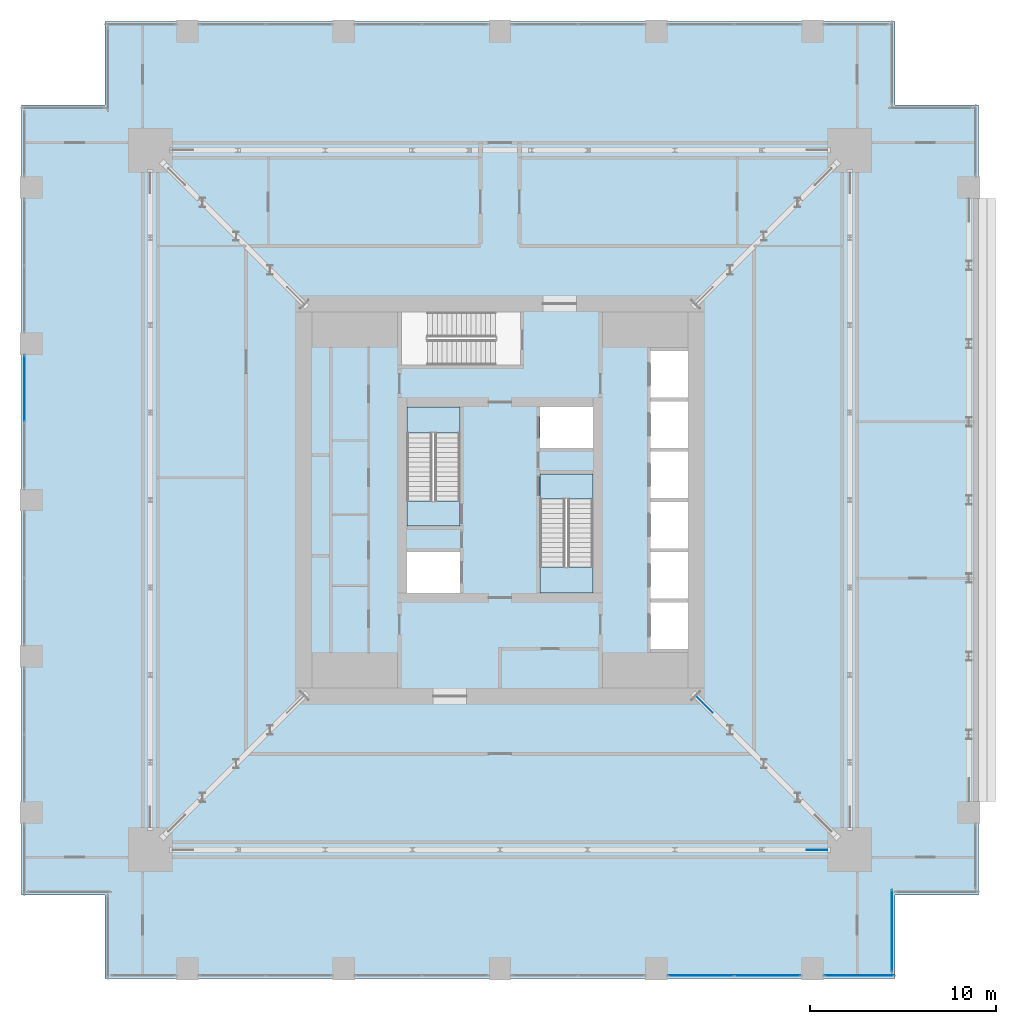
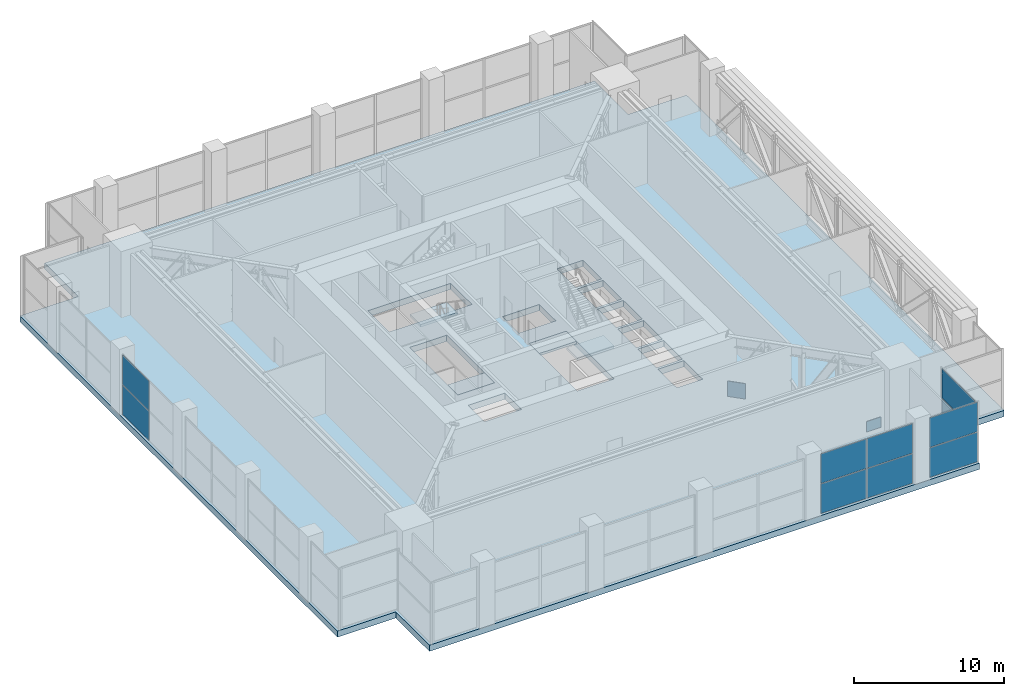
# One storey, part 12 of 21: 12 plates, 5 slabs, 6 elements without a shape of their own.
"""IFC4 building model written with IfcOpenShell, lengths in metres."""

from ifc_helpers import new_model, si_unit, direction, frame, origin, origin_2d, place, context, subcontext, project, spatial, polyline, rectangle, outline, extrude, material, layer, layer_set, type_object, element, aggregate, save


model = new_model("IFC4")

# Units and contexts
model_context = context("Model", 3, precision=1e-05, world=origin(), true_north=direction((0.0, 1.0)))
body_context = subcontext(model_context, "Body", "Model", "MODEL_VIEW")
ifc_project = project(units=[si_unit("LENGTHUNIT", "METRE"), si_unit("AREAUNIT", "SQUARE_METRE"), si_unit("VOLUMEUNIT", "CUBIC_METRE"), si_unit("PLANEANGLEUNIT", "RADIAN"), si_unit("MASSUNIT", "GRAM", prefix="KILO")], contexts=[model_context])

# Site, building, storey
site_placement = place(None, origin())
site = spatial("IfcSite", under=ifc_project, at=site_placement, CompositionType="ELEMENT")
building_placement = place(site_placement, origin())
building = spatial("IfcBuilding", under=site, at=building_placement, Name="Khepri Terraces", CompositionType="ELEMENT")
storey_placement = place(building_placement, frame((0.0, 0.0, 235.199951171875)))
storey = spatial("IfcBuildingStorey", under=building, at=storey_placement, Name="L56", CompositionType="ELEMENT", Elevation=235.199951171875)

# Curtain wall, plates
ifc_material_1 = material(Name="Anodised aluminium bronze curtain wall", Category="aluminium")
curtain_wall_type = type_object("IfcCurtainWallType", Name="CW-SYS3-SKY", PredefinedType="NOTDEFINED", material=ifc_material_1)
curtain_wall_1_placement = place(storey_placement, origin())
curtain_wall_1 = element("IfcCurtainWall", 1, at=curtain_wall_1_placement, inside=storey, type_object=curtain_wall_type, Name="Curtain wall CW3 L56 W", PredefinedType="NOTDEFINED")
ifc_material_2 = material(Name="Clear glass", Category="glass")
ifc_layer_1 = layer(ifc_material_2, 0.028076171875, Name="Clear glass", Category="glass")
ifc_layer_set_1 = layer_set([ifc_layer_1], Name="Clear glass")
plate_type_1 = type_object("IfcPlateType", Name="CW-PANEL-VISION-28", PredefinedType="CURTAIN_PANEL", material=ifc_layer_set_1)
plate_1_placement = place(storey_placement, frame((-25.570068359375, 5.985107421875, 0.06005859375), z_axis=(0.0, 0.0, 1.0), x_axis=(0.0, -1.0, 0.0)))
plate_1 = element("IfcPlate", 2, at=plate_1_placement, type_object=plate_type_1, Name="CW3 panel 1.1", PredefinedType="CURTAIN_PANEL", context=body_context, shape_type="SweptSolid", body=[
    extrude(rectangle(XDim=3.510009765625, YDim=0.028076171875, at=origin_2d()), origin(), (0.0, 0.0, 1.0), 2.39990234375),
])
plate_2_placement = place(storey_placement, frame((-25.570068359375, 5.985107421875, 2.52001953125), z_axis=(0.0, 0.0, 1.0), x_axis=(0.0, -1.0, 0.0)))
plate_2 = element("IfcPlate", 3, at=plate_2_placement, type_object=plate_type_1, Name="CW3 panel 1.2", PredefinedType="CURTAIN_PANEL", context=body_context, shape_type="SweptSolid", body=[
    extrude(rectangle(XDim=3.510009765625, YDim=0.028076171875, at=origin_2d()), origin(), (0.0, 0.0, 1.0), 2.39990234375),
])
aggregate(curtain_wall_1, [plate_1, plate_2])

curtain_wall_2_placement = place(storey_placement, origin())
curtain_wall_2 = element("IfcCurtainWall", 4, at=curtain_wall_2_placement, inside=storey, type_object=curtain_wall_type, Name="Curtain wall CW3 L56 S", PredefinedType="NOTDEFINED")
plate_3_placement = place(storey_placement, frame((10.81494140625, -25.570068359375, 0.06005859375), z_axis=(0.0, 0.0, 1.0), x_axis=(1.0, 0.0, 0.0)))
plate_3 = element("IfcPlate", 5, at=plate_3_placement, type_object=plate_type_1, Name="CW3 panel 1.1", PredefinedType="CURTAIN_PANEL", context=body_context, shape_type="SweptSolid", body=[
    extrude(rectangle(XDim=3.510009765625, YDim=0.028076171875, at=origin_2d()), origin(), (0.0, 0.0, 1.0), 2.39990234375),
])
plate_4_placement = place(storey_placement, frame((10.81494140625, -25.570068359375, 2.52001953125), z_axis=(0.0, 0.0, 1.0), x_axis=(1.0, 0.0, 0.0)))
plate_4 = element("IfcPlate", 6, at=plate_4_placement, type_object=plate_type_1, Name="CW3 panel 1.2", PredefinedType="CURTAIN_PANEL", context=body_context, shape_type="SweptSolid", body=[
    extrude(rectangle(XDim=3.510009765625, YDim=0.028076171875, at=origin_2d()), origin(), (0.0, 0.0, 1.0), 2.39990234375),
])
plate_5_placement = place(storey_placement, frame((14.385009765625, -25.570068359375, 0.06005859375), z_axis=(0.0, 0.0, 1.0), x_axis=(1.0, 0.0, 0.0)))
plate_5 = element("IfcPlate", 7, at=plate_5_placement, type_object=plate_type_1, Name="CW3 panel 2.1", PredefinedType="CURTAIN_PANEL", context=body_context, shape_type="SweptSolid", body=[
    extrude(rectangle(XDim=3.510009765625, YDim=0.028076171875, at=origin_2d()), origin(), (0.0, 0.0, 1.0), 2.39990234375),
])
plate_6_placement = place(storey_placement, frame((14.385009765625, -25.570068359375, 2.52001953125), z_axis=(0.0, 0.0, 1.0), x_axis=(1.0, 0.0, 0.0)))
plate_6 = element("IfcPlate", 8, at=plate_6_placement, type_object=plate_type_1, Name="CW3 panel 2.2", PredefinedType="CURTAIN_PANEL", context=body_context, shape_type="SweptSolid", body=[
    extrude(rectangle(XDim=3.510009765625, YDim=0.028076171875, at=origin_2d()), origin(), (0.0, 0.0, 1.0), 2.39990234375),
])
aggregate(curtain_wall_2, [plate_3, plate_4, plate_5, plate_6])

curtain_wall_3_placement = place(storey_placement, origin())
curtain_wall_3 = element("IfcCurtainWall", 9, at=curtain_wall_3_placement, inside=storey, type_object=curtain_wall_type, Name="Curtain wall CW3 L56 S", PredefinedType="NOTDEFINED")
plate_7_placement = place(storey_placement, frame((19.31005859375, -25.570068359375, 0.06005859375), z_axis=(0.0, 0.0, 1.0), x_axis=(1.0, 0.0, 0.0)))
plate_7 = element("IfcPlate", 10, at=plate_7_placement, type_object=plate_type_1, Name="CW3 panel 1.1", PredefinedType="CURTAIN_PANEL", context=body_context, shape_type="SweptSolid", body=[
    extrude(rectangle(XDim=3.699951171875, YDim=0.028076171875, at=origin_2d()), origin(), (0.0, 0.0, 1.0), 2.39990234375),
])
plate_8_placement = place(storey_placement, frame((19.31005859375, -25.570068359375, 2.52001953125), z_axis=(0.0, 0.0, 1.0), x_axis=(1.0, 0.0, 0.0)))
plate_8 = element("IfcPlate", 11, at=plate_8_placement, type_object=plate_type_1, Name="CW3 panel 1.2", PredefinedType="CURTAIN_PANEL", context=body_context, shape_type="SweptSolid", body=[
    extrude(rectangle(XDim=3.699951171875, YDim=0.028076171875, at=origin_2d()), origin(), (0.0, 0.0, 1.0), 2.39990234375),
])
aggregate(curtain_wall_3, [plate_7, plate_8])

curtain_wall_4_placement = place(storey_placement, origin())
curtain_wall_4 = element("IfcCurtainWall", 12, at=curtain_wall_4_placement, inside=storey, type_object=curtain_wall_type, Name="Curtain wall CW3 L56 E", PredefinedType="NOTDEFINED")
plate_9_placement = place(storey_placement, frame((21.070068359375, -23.169921875, 0.06005859375), z_axis=(0.0, 0.0, 1.0), x_axis=(0.0, 1.0, 0.0)))
plate_9 = element("IfcPlate", 13, at=plate_9_placement, type_object=plate_type_1, Name="CW3 panel 1.1", PredefinedType="CURTAIN_PANEL", context=body_context, shape_type="SweptSolid", body=[
    extrude(rectangle(XDim=4.3798828125, YDim=0.028076171875, at=origin_2d()), origin(), (0.0, 0.0, 1.0), 2.39990234375),
])
plate_10_placement = place(storey_placement, frame((21.070068359375, -23.169921875, 2.52001953125), z_axis=(0.0, 0.0, 1.0), x_axis=(0.0, 1.0, 0.0)))
plate_10 = element("IfcPlate", 14, at=plate_10_placement, type_object=plate_type_1, Name="CW3 panel 1.2", PredefinedType="CURTAIN_PANEL", context=body_context, shape_type="SweptSolid", body=[
    extrude(rectangle(XDim=4.3798828125, YDim=0.028076171875, at=origin_2d()), origin(), (0.0, 0.0, 1.0), 2.39990234375),
])
aggregate(curtain_wall_4, [plate_9, plate_10])

# Plates
ifc_material_3 = material(Name="Steel S355", Category="steel")
ifc_layer_2 = layer(ifc_material_3, 0.02490234375, Name="Steel S355", Category="steel")
ifc_layer_set_2 = layer_set([ifc_layer_2], Name="Steel S355")
plate_type_2 = type_object("IfcPlateType", Name="Gusset plate 1100x950x25", PredefinedType="USERDEFINED", material=ifc_layer_set_2)
plate_11_placement = place(storey_placement, frame((17.050048828125, -18.800048828125, -0.10009765625), z_axis=(0.0, 0.0, 1.0), x_axis=(1.0, 0.0, 0.0)))
element("IfcPlate", 15, at=plate_11_placement, inside=storey, type_object=plate_type_2, Name="GUSSET PLATE BT-56-S column node B", ObjectType="GUSSET PLATE", PredefinedType="USERDEFINED", context=body_context, shape_type="SweptSolid", body=[
    extrude(rectangle(XDim=1.10009765625, YDim=0.02490234375, at=origin_2d()), origin(), (0.0, 0.0, 1.0), 0.949951171875),
])
ifc_layer_3 = layer(ifc_material_3, 0.030029296875, Name="Steel S355", Category="steel")
ifc_layer_set_3 = layer_set([ifc_layer_3], Name="Steel S355")
plate_type_3 = type_object("IfcPlateType", Name="Gusset plate 1250x1350x30", PredefinedType="USERDEFINED", material=ifc_layer_set_3)
plate_12_placement = place(storey_placement, frame((10.991943359375, -10.991943359375, -0.10009765625), z_axis=(0.0, 0.0, 1.0), x_axis=(0.707106781187, -0.707106781187, 0.0)))
element("IfcPlate", 16, at=plate_12_placement, inside=storey, type_object=plate_type_3, Name="GUSSET PLATE OT-56-ES node A", ObjectType="GUSSET PLATE", PredefinedType="USERDEFINED", context=body_context, shape_type="SweptSolid", body=[
    extrude(rectangle(XDim=1.25, YDim=0.030029296875, at=origin_2d()), origin(), (0.0, 0.0, 1.0), 1.35009765625),
])

# Slab
ifc_material_4 = material(Name="Concrete C40/50", Category="concrete")
ifc_layer_4 = layer(ifc_material_4, 0.5, Name="Concrete C40/50", Category="concrete")
ifc_layer_set_4 = layer_set([ifc_layer_4], Name="Concrete C40/50")
slab_type_1 = type_object("IfcSlabType", Name="Plant floor slab 500", PredefinedType="FLOOR", material=ifc_layer_set_4)
slab_1_placement = place(storey_placement, frame((0.0, 0.0, -0.5)))
element("IfcSlab", 17, at=slab_1_placement, inside=storey, type_object=slab_type_1, Name="Floor slab F01 L56", PredefinedType="FLOOR", context=body_context, shape_type="SweptSolid", body=[
    extrude(outline(polyline([(25.719970703125, 21.219970703125), (25.719970703125, -21.219970703125), (21.219970703125, -21.219970703125), (21.219970703125, -25.719970703125), (-21.219970703125, -25.719970703125), (-21.219970703125, -21.219970703125), (-25.719970703125, -21.219970703125), (-25.719970703125, 21.219970703125), (-21.219970703125, 21.219970703125), (-21.219970703125, 25.719970703125), (21.219970703125, 25.719970703125), (21.219970703125, 21.219970703125), (25.719970703125, 21.219970703125)]), holes=[polyline([(2.14990234375, 2.800048828125), (5.0, 2.800048828125), (5.0, 5.0), (2.14990234375, 5.0), (2.14990234375, 2.800048828125)]), polyline([(-5.0, -2.800048828125), (-5.0, -5.0), (-2.14990234375, -5.0), (-2.14990234375, -2.800048828125), (-5.0, -2.800048828125)]), polyline([(10.10009765625, -5.5), (8.10009765625, -5.5), (8.10009765625, -8.0), (10.10009765625, -8.0), (10.10009765625, -5.5)]), polyline([(10.10009765625, -5.300048828125), (10.10009765625, -2.800048828125), (8.10009765625, -2.800048828125), (8.10009765625, -5.300048828125), (10.10009765625, -5.300048828125)]), polyline([(8.10009765625, -2.60009765625), (10.10009765625, -2.60009765625), (10.10009765625, -0.10009765625), (8.10009765625, -0.10009765625), (8.10009765625, -2.60009765625)]), polyline([(8.10009765625, 2.60009765625), (8.10009765625, 0.10009765625), (10.10009765625, 0.10009765625), (10.10009765625, 2.60009765625), (8.10009765625, 2.60009765625)]), polyline([(10.10009765625, 5.300048828125), (8.10009765625, 5.300048828125), (8.10009765625, 2.800048828125), (10.10009765625, 2.800048828125), (10.10009765625, 5.300048828125)]), polyline([(10.10009765625, 5.5), (10.10009765625, 8.0), (8.10009765625, 8.0), (8.10009765625, 5.5), (10.10009765625, 5.5)]), polyline([(-5.0, -1.39990234375), (-2.14990234375, -1.39990234375), (-2.14990234375, 5.0), (-5.0, 5.0), (-5.0, -1.39990234375)]), polyline([(5.0, -5.0), (5.0, 1.39990234375), (2.14990234375, 1.39990234375), (2.14990234375, -5.0), (5.0, -5.0)]), polyline([(-5.300048828125, 10.10009765625), (-5.300048828125, 7.25), (1.10009765625, 7.25), (1.10009765625, 10.10009765625), (-5.300048828125, 10.10009765625)])]), origin(), (0.0, 0.0, 1.0), 0.5),
])

# Stair, slabs
stair_type = type_object("IfcStairType", Name="STAIR-RC-30R", PredefinedType="HALF_TURN_STAIR", material=ifc_material_4)
stair_1_placement = place(storey_placement, origin())
stair_1 = element("IfcStair", 18, at=stair_1_placement, inside=storey, type_object=stair_type, Name="L56 Exit Stair ST-1", PredefinedType="HALF_TURN_STAIR")
ifc_layer_5 = layer(ifc_material_4, 0.199951171875, Name="Concrete C40/50", Category="concrete")
ifc_layer_set_5 = layer_set([ifc_layer_5], Name="Concrete C40/50")
slab_type_2 = type_object("IfcSlabType", Name="SLB-CORE-LANDING", PredefinedType="LANDING", material=ifc_layer_set_5)
slab_2_placement = place(storey_placement, frame((0.0, 0.0, -0.199951171875)))
slab_2 = element("IfcSlab", 19, at=slab_2_placement, type_object=slab_type_2, Name="ST-1 landing 1", PredefinedType="LANDING", context=body_context, shape_type="SweptSolid", body=[
    extrude(outline(polyline([(-2.14990234375, -1.39990234375), (-2.14990234375, -0.050048828125), (-5.0, -0.050048828125), (-5.0, -1.39990234375), (-2.14990234375, -1.39990234375)])), origin(), (0.0, 0.0, 1.0), 0.199951171875),
])
slab_3_placement = place(storey_placement, frame((0.0, 0.0, 2.5)))
slab_3 = element("IfcSlab", 20, at=slab_3_placement, type_object=slab_type_2, Name="ST-1 landing 2", PredefinedType="LANDING", context=body_context, shape_type="SweptSolid", body=[
    extrude(outline(polyline([(-2.14990234375, 3.590087890625), (-2.14990234375, 5.0), (-5.0, 5.0), (-5.0, 3.590087890625), (-2.14990234375, 3.590087890625)])), origin(), (0.0, 0.0, 1.0), 0.199951171875),
])
aggregate(stair_1, [slab_2, slab_3])

stair_2_placement = place(storey_placement, origin())
stair_2 = element("IfcStair", 21, at=stair_2_placement, inside=storey, type_object=stair_type, Name="L56 Exit Stair ST-2", PredefinedType="HALF_TURN_STAIR")
slab_4_placement = place(storey_placement, frame((0.0, 0.0, -0.199951171875)))
slab_4 = element("IfcSlab", 22, at=slab_4_placement, type_object=slab_type_2, Name="ST-2 landing 1", PredefinedType="LANDING", context=body_context, shape_type="SweptSolid", body=[
    extrude(outline(polyline([(2.14990234375, 1.39990234375), (2.14990234375, 0.050048828125), (5.0, 0.050048828125), (5.0, 1.39990234375), (2.14990234375, 1.39990234375)])), origin(), (0.0, 0.0, 1.0), 0.199951171875),
])
slab_5_placement = place(storey_placement, frame((0.0, 0.0, 2.5)))
slab_5 = element("IfcSlab", 23, at=slab_5_placement, type_object=slab_type_2, Name="ST-2 landing 2", PredefinedType="LANDING", context=body_context, shape_type="SweptSolid", body=[
    extrude(outline(polyline([(2.14990234375, -3.590087890625), (2.14990234375, -5.0), (5.0, -5.0), (5.0, -3.590087890625), (2.14990234375, -3.590087890625)])), origin(), (0.0, 0.0, 1.0), 0.199951171875),
])
aggregate(stair_2, [slab_4, slab_5])

save(model, "model.ifc")
